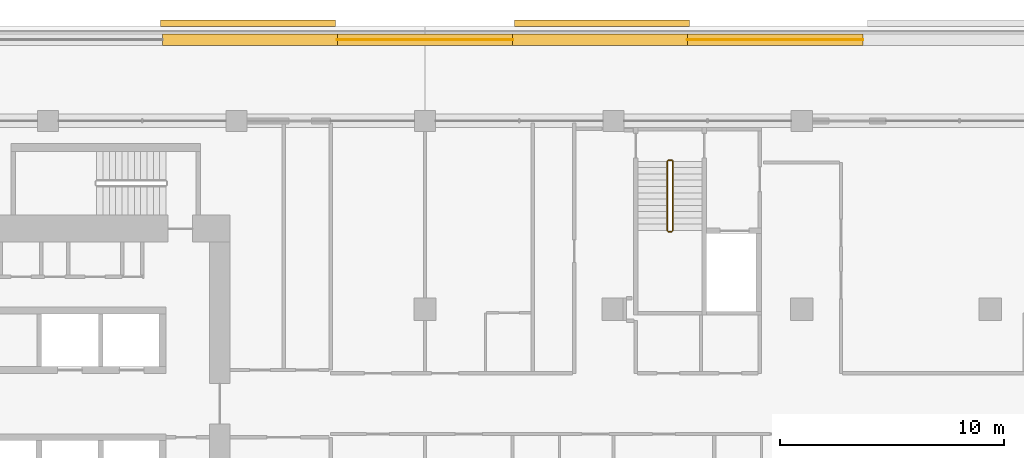
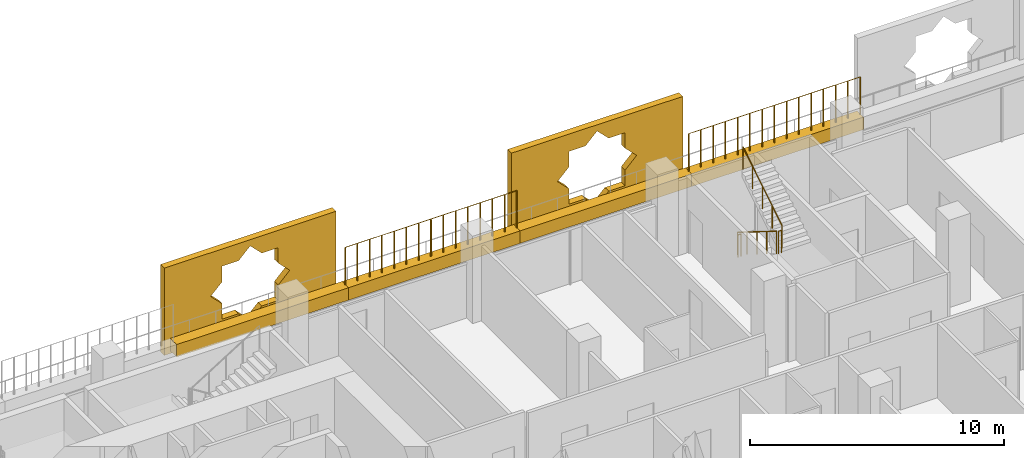
# One storey, part 20 of 21: 6 coverings, 6 railings.
"""IFC4 building model written with IfcOpenShell, lengths in metres."""

from ifc_helpers import new_model, si_unit, direction, frame, origin, origin_2d, place, context, subcontext, project, spatial, polyline, rectangle, circle, outline, extrude, material, material_profile, profile_set, type_object, element, save


model = new_model("IFC4")

# Units and contexts
model_context = context("Model", 3, precision=1e-05, world=origin(), true_north=direction((0.0, 1.0)))
body_context = subcontext(model_context, "Body", "Model", "MODEL_VIEW")
ifc_project = project(units=[si_unit("LENGTHUNIT", "METRE"), si_unit("AREAUNIT", "SQUARE_METRE"), si_unit("VOLUMEUNIT", "CUBIC_METRE"), si_unit("PLANEANGLEUNIT", "RADIAN"), si_unit("MASSUNIT", "GRAM", prefix="KILO")], contexts=[model_context])

# Site, building, storey
site_placement = place(None, origin())
site = spatial("IfcSite", under=ifc_project, at=site_placement, CompositionType="ELEMENT")
building_placement = place(site_placement, origin())
building = spatial("IfcBuilding", under=site, at=building_placement, Name="Kawkab Arch Medical Tower", CompositionType="ELEMENT")
storey_placement = place(building_placement, frame((0.0, 0.0, 192.0)))
storey = spatial("IfcBuildingStorey", under=building, at=storey_placement, Name="L44", CompositionType="ELEMENT", Elevation=192.0)

# Coverings
ifc_material_1 = material(Name="Bronze anodised aluminium mashrabiya panel, eight-point star pattern", Category="aluminium")
ifc_material_profile_1 = material_profile(ifc_material_1, outline(polyline([(-3.89990234375, -2.10009765625), (3.89990234375, -2.10009765625), (3.89990234375, 2.10009765625), (-3.89990234375, 2.10009765625), (-3.89990234375, -2.10009765625)]), holes=[polyline([(1.800048828125, 0.0), (1.272705078125, 0.527099609375), (1.272705078125, 1.272705078125), (0.527099609375, 1.272705078125), (0.0, 1.800048828125), (-0.527099609375, 1.272705078125), (-1.272705078125, 1.272705078125), (-1.272705078125, 0.527099609375), (-1.800048828125, 0.0), (-1.272705078125, -0.527099609375), (-1.272705078125, -1.272705078125), (-0.527099609375, -1.272705078125), (0.0, -1.800048828125), (0.527099609375, -1.272705078125), (1.272705078125, -1.272705078125), (1.272705078125, -0.527099609375), (1.800048828125, 0.0)])]), Name="Mashrabiya panel 7800x4200")
ifc_profile_set_1 = profile_set([ifc_material_profile_1], Name="Bronze anodised aluminium mashrabiya panel, eight-point star pattern")
covering_type_1 = type_object("IfcCoveringType", Name="Mashrabiya panel 7800 x 4200", PredefinedType="USERDEFINED", material=ifc_profile_set_1)
for number, where, z_axis, x_axis, name in (
    (1, (25.7158203125, 4.199951171875, 1.699951171875), (0.0, 1.0, 0.0), (-1.0, 0.0, 0.0), "Mashrabiya panel L44.LOG-01-01.6"),
    (2, (41.484375, 4.199951171875, 1.699951171875), (0.0, 1.0, 0.0), (-1.0, 0.0, 0.0), "Mashrabiya panel L44.LOG-01-01.7"),
):
    element("IfcCovering", number, at=place(storey_placement, frame(where, z_axis=z_axis, x_axis=x_axis)), inside=storey, type_object=covering_type_1, Name=name, ObjectType="SCREEN", PredefinedType="USERDEFINED", context=body_context, shape_type="SweptSolid", body=[
        extrude(outline(polyline([(-3.89990234375, -2.10009765625), (3.89990234375, -2.10009765625), (3.89990234375, 2.10009765625), (-3.89990234375, 2.10009765625), (-3.89990234375, -2.10009765625)]), holes=[polyline([(1.800048828125, 0.0), (1.272705078125, 0.527099609375), (1.272705078125, 1.272705078125), (0.527099609375, 1.272705078125), (0.0, 1.800048828125), (-0.527099609375, 1.272705078125), (-1.272705078125, 1.272705078125), (-1.272705078125, 0.527099609375), (-1.800048828125, 0.0), (-1.272705078125, -0.527099609375), (-1.272705078125, -1.272705078125), (-0.527099609375, -1.272705078125), (0.0, -1.800048828125), (0.527099609375, -1.272705078125), (1.272705078125, -1.272705078125), (1.272705078125, -0.527099609375), (1.800048828125, 0.0)])]), origin(), (0.0, 0.0, 1.0), 0.300048828125),
    ])
ifc_material_2 = material(Name="Planting soil in a precast trough", Category="concrete")
ifc_material_profile_2 = material_profile(ifc_material_2, rectangle(XDim=0.5, YDim=0.60009765625, at=origin_2d()), Name="Trough 500x600")
ifc_profile_set_2 = profile_set([ifc_material_profile_2], Name="Planting soil in a precast trough")
covering_type_2 = type_object("IfcCoveringType", Name="Planter trough 500 x 600", PredefinedType="USERDEFINED", material=ifc_profile_set_2)
covering_1_placement = place(storey_placement, frame((21.89306640625, 3.6201171875, 0.300048828125), z_axis=(1.0, 0.0, 0.0), x_axis=(0.0, 1.0, 0.0)))
element("IfcCovering", 3, at=covering_1_placement, inside=storey, type_object=covering_type_2, Name="Planter L44.LOG-01-01.20", ObjectType="PLANTER", PredefinedType="USERDEFINED", context=body_context, shape_type="SweptSolid", body=[
    extrude(rectangle(XDim=0.5, YDim=0.60009765625, at=origin_2d()), origin(), (0.0, 0.0, 1.0), 7.804931640625),
])
covering_2_placement = place(storey_placement, frame((29.697998046875, 3.6201171875, 0.300048828125), z_axis=(1.0, 0.0, 0.0), x_axis=(0.0, 1.0, 0.0)))
element("IfcCovering", 4, at=covering_2_placement, inside=storey, type_object=covering_type_2, Name="Planter L44.LOG-01-01.21", ObjectType="PLANTER", PredefinedType="USERDEFINED", context=body_context, shape_type="SweptSolid", body=[
    extrude(rectangle(XDim=0.5, YDim=0.60009765625, at=origin_2d()), origin(), (0.0, 0.0, 1.0), 7.803955078125),
])
covering_3_placement = place(storey_placement, frame((37.501953125, 3.6201171875, 0.300048828125), z_axis=(1.0, 0.0, 0.0), x_axis=(0.0, 1.0, 0.0)))
element("IfcCovering", 5, at=covering_3_placement, inside=storey, type_object=covering_type_2, Name="Planter L44.LOG-01-01.22", ObjectType="PLANTER", PredefinedType="USERDEFINED", context=body_context, shape_type="SweptSolid", body=[
    extrude(rectangle(XDim=0.5, YDim=0.60009765625, at=origin_2d()), origin(), (0.0, 0.0, 1.0), 7.804931640625),
])
covering_4_placement = place(storey_placement, frame((45.306884765625, 3.6201171875, 0.300048828125), z_axis=(1.0, 0.0, 0.0), x_axis=(0.0, 1.0, 0.0)))
element("IfcCovering", 6, at=covering_4_placement, inside=storey, type_object=covering_type_2, Name="Planter L44.LOG-01-01.23", ObjectType="PLANTER", PredefinedType="USERDEFINED", context=body_context, shape_type="SweptSolid", body=[
    extrude(rectangle(XDim=0.5, YDim=0.60009765625, at=origin_2d()), origin(), (0.0, 0.0, 1.0), 7.80517578125),
])

# Railings
ifc_material_3 = material(Name="Bronze anodised aluminium trellis for climbing plants", Category="aluminium")
railing_type_1 = type_object("IfcRailingType", Name="Planting trellis 2400", PredefinedType="USERDEFINED", material=ifc_material_3)
railing_1_placement = place(storey_placement, frame((29.697998046875, 3.6201171875, 0.0)))
element("IfcRailing", 7, at=railing_1_placement, inside=storey, type_object=railing_type_1, Name="Planting trellis L44.LOG-01-01.21", ObjectType="TRELLIS", PredefinedType="USERDEFINED", context=body_context, shape_type="SweptSolid", body=[
    extrude(circle(Radius=0.01513671875, at=origin_2d()), frame((0.0, 0.0, 2.384765625), z_axis=(1.0, 0.0, 0.0), x_axis=(0.0, 1.0, 0.0)), (0.0, 0.0, 1.0), 7.803955078125),
    extrude(circle(Radius=0.030029296875, at=origin_2d()), origin(), (0.0, 0.0, 1.0), 2.369873046875),
    extrude(circle(Radius=0.030029296875, at=origin_2d()), frame((0.557373046875, 0.0, 0.0)), (0.0, 0.0, 1.0), 2.369873046875),
    extrude(circle(Radius=0.030029296875, at=origin_2d()), frame((1.11474609375, 0.0, 0.0)), (0.0, 0.0, 1.0), 2.369873046875),
    extrude(circle(Radius=0.030029296875, at=origin_2d()), frame((1.67236328125, 0.0, 0.0)), (0.0, 0.0, 1.0), 2.369873046875),
    extrude(circle(Radius=0.030029296875, at=origin_2d()), frame((2.229736328125, 0.0, 0.0)), (0.0, 0.0, 1.0), 2.369873046875),
    extrude(circle(Radius=0.030029296875, at=origin_2d()), frame((2.787109375, 0.0, 0.0)), (0.0, 0.0, 1.0), 2.369873046875),
    extrude(circle(Radius=0.030029296875, at=origin_2d()), frame((3.344482421875, 0.0, 0.0)), (0.0, 0.0, 1.0), 2.369873046875),
    extrude(circle(Radius=0.030029296875, at=origin_2d()), frame((3.90185546875, 0.0, 0.0)), (0.0, 0.0, 1.0), 2.369873046875),
    extrude(circle(Radius=0.030029296875, at=origin_2d()), frame((4.45947265625, 0.0, 0.0)), (0.0, 0.0, 1.0), 2.369873046875),
    extrude(circle(Radius=0.030029296875, at=origin_2d()), frame((5.016845703125, 0.0, 0.0)), (0.0, 0.0, 1.0), 2.369873046875),
    extrude(circle(Radius=0.030029296875, at=origin_2d()), frame((5.57421875, 0.0, 0.0)), (0.0, 0.0, 1.0), 2.369873046875),
    extrude(circle(Radius=0.030029296875, at=origin_2d()), frame((6.131591796875, 0.0, 0.0)), (0.0, 0.0, 1.0), 2.369873046875),
    extrude(circle(Radius=0.030029296875, at=origin_2d()), frame((6.689208984375, 0.0, 0.0)), (0.0, 0.0, 1.0), 2.369873046875),
    extrude(circle(Radius=0.030029296875, at=origin_2d()), frame((7.24658203125, 0.0, 0.0)), (0.0, 0.0, 1.0), 2.369873046875),
    extrude(circle(Radius=0.030029296875, at=origin_2d()), frame((7.803955078125, 0.0, 0.0)), (0.0, 0.0, 1.0), 2.369873046875),
])
railing_2_placement = place(storey_placement, frame((45.306884765625, 3.6201171875, 0.0)))
element("IfcRailing", 8, at=railing_2_placement, inside=storey, type_object=railing_type_1, Name="Planting trellis L44.LOG-01-01.23", ObjectType="TRELLIS", PredefinedType="USERDEFINED", context=body_context, shape_type="SweptSolid", body=[
    extrude(circle(Radius=0.01513671875, at=origin_2d()), frame((0.0, 0.0, 2.384765625), z_axis=(1.0, 0.0, 0.0), x_axis=(0.0, 1.0, 0.0)), (0.0, 0.0, 1.0), 7.80517578125),
    extrude(circle(Radius=0.030029296875, at=origin_2d()), origin(), (0.0, 0.0, 1.0), 2.369873046875),
    extrude(circle(Radius=0.030029296875, at=origin_2d()), frame((0.5576171875, 0.0, 0.0)), (0.0, 0.0, 1.0), 2.369873046875),
    extrude(circle(Radius=0.030029296875, at=origin_2d()), frame((1.114990234375, 0.0, 0.0)), (0.0, 0.0, 1.0), 2.369873046875),
    extrude(circle(Radius=0.030029296875, at=origin_2d()), frame((1.672607421875, 0.0, 0.0)), (0.0, 0.0, 1.0), 2.369873046875),
    extrude(circle(Radius=0.030029296875, at=origin_2d()), frame((2.22998046875, 0.0, 0.0)), (0.0, 0.0, 1.0), 2.369873046875),
    extrude(circle(Radius=0.030029296875, at=origin_2d()), frame((2.78759765625, 0.0, 0.0)), (0.0, 0.0, 1.0), 2.369873046875),
    extrude(circle(Radius=0.030029296875, at=origin_2d()), frame((3.344970703125, 0.0, 0.0)), (0.0, 0.0, 1.0), 2.369873046875),
    extrude(circle(Radius=0.030029296875, at=origin_2d()), frame((3.902587890625, 0.0, 0.0)), (0.0, 0.0, 1.0), 2.369873046875),
    extrude(circle(Radius=0.030029296875, at=origin_2d()), frame((4.460205078125, 0.0, 0.0)), (0.0, 0.0, 1.0), 2.369873046875),
    extrude(circle(Radius=0.030029296875, at=origin_2d()), frame((5.017578125, 0.0, 0.0)), (0.0, 0.0, 1.0), 2.369873046875),
    extrude(circle(Radius=0.030029296875, at=origin_2d()), frame((5.5751953125, 0.0, 0.0)), (0.0, 0.0, 1.0), 2.369873046875),
    extrude(circle(Radius=0.030029296875, at=origin_2d()), frame((6.132568359375, 0.0, 0.0)), (0.0, 0.0, 1.0), 2.369873046875),
    extrude(circle(Radius=0.030029296875, at=origin_2d()), frame((6.690185546875, 0.0, 0.0)), (0.0, 0.0, 1.0), 2.369873046875),
    extrude(circle(Radius=0.030029296875, at=origin_2d()), frame((7.24755859375, 0.0, 0.0)), (0.0, 0.0, 1.0), 2.369873046875),
    extrude(circle(Radius=0.030029296875, at=origin_2d()), frame((7.80517578125, 0.0, 0.0)), (0.0, 0.0, 1.0), 2.369873046875),
])
ifc_material_4 = material(Name="Stainless steel", Category="steel")
railing_type_2 = type_object("IfcRailingType", Name="Stair guard 1100", PredefinedType="GUARDRAIL", material=ifc_material_4)
railing_3_placement = place(storey_placement, frame((44.39990234375, -1.800048828125, 0.175048828125)))
element("IfcRailing", 9, at=railing_3_placement, inside=storey, type_object=railing_type_2, Name="L44 ST5 stair guard 1", PredefinedType="GUARDRAIL", context=body_context, shape_type="SweptSolid", body=[
    extrude(circle(Radius=0.02392578125, at=origin_2d()), frame((0.0, 0.0, 1.076171875), z_axis=(0.0, -0.847979421464, 0.530029150871), x_axis=(1.0, 0.0, 0.0)), (0.0, 0.0, 1.0), 3.632080078125),
    extrude(circle(Radius=0.02099609375, at=origin_2d()), origin(), (0.0, 0.0, 1.0), 1.052001953125),
    extrude(circle(Radius=0.02099609375, at=origin_2d()), frame((0.0, -0.77001953125, 0.481201171875)), (0.0, 0.0, 1.0), 1.052001953125),
    extrude(circle(Radius=0.02099609375, at=origin_2d()), frame((0.0, -1.5400390625, 0.96240234375)), (0.0, 0.0, 1.0), 1.052001953125),
    extrude(circle(Radius=0.02099609375, at=origin_2d()), frame((0.0, -2.309814453125, 1.44384765625)), (0.0, 0.0, 1.0), 1.052001953125),
    extrude(circle(Radius=0.02099609375, at=origin_2d()), frame((0.0, -3.079833984375, 1.925048828125)), (0.0, 0.0, 1.0), 1.052001953125),
])
railing_4_placement = place(storey_placement, frame((44.449951171875, -4.929931640625, 2.10009765625)))
element("IfcRailing", 10, at=railing_4_placement, inside=storey, type_object=railing_type_2, Name="L44 ST5 stair guard 2", PredefinedType="GUARDRAIL", context=body_context, shape_type="SweptSolid", body=[
    extrude(circle(Radius=0.02392578125, at=origin_2d()), frame((0.0, 0.0, 1.076171875), z_axis=(1.0, 0.0, 0.0), x_axis=(0.0, 1.0, 0.0)), (0.0, 0.0, 1.0), 0.150146484375),
    extrude(circle(Radius=0.02099609375, at=origin_2d()), origin(), (0.0, 0.0, 1.0), 1.052001953125),
    extrude(circle(Radius=0.02099609375, at=origin_2d()), frame((0.150146484375, 0.0, 0.0)), (0.0, 0.0, 1.0), 1.052001953125),
])
railing_5_placement = place(storey_placement, frame((44.64990234375, -4.8798828125, 2.27490234375)))
element("IfcRailing", 11, at=railing_5_placement, inside=storey, type_object=railing_type_2, Name="L44 ST5 stair guard 3", PredefinedType="GUARDRAIL", context=body_context, shape_type="SweptSolid", body=[
    extrude(circle(Radius=0.02392578125, at=origin_2d()), frame((0.0, 0.0, 1.076171875), z_axis=(0.0, 0.847979421464, 0.530029150871), x_axis=(-1.0, 0.0, 0.0)), (0.0, 0.0, 1.0), 3.632080078125),
    extrude(circle(Radius=0.02099609375, at=origin_2d()), origin(), (0.0, 0.0, 1.0), 1.052001953125),
    extrude(circle(Radius=0.02099609375, at=origin_2d()), frame((0.0, 0.77001953125, 0.481201171875)), (0.0, 0.0, 1.0), 1.052001953125),
    extrude(circle(Radius=0.02099609375, at=origin_2d()), frame((0.0, 1.5400390625, 0.96240234375)), (0.0, 0.0, 1.0), 1.052001953125),
    extrude(circle(Radius=0.02099609375, at=origin_2d()), frame((0.0, 2.309814453125, 1.44384765625)), (0.0, 0.0, 1.0), 1.052001953125),
    extrude(circle(Radius=0.02099609375, at=origin_2d()), frame((0.0, 3.079833984375, 1.925048828125)), (0.0, 0.0, 1.0), 1.052001953125),
])
railing_6_placement = place(storey_placement, frame((44.449951171875, -1.75, 0.0)))
element("IfcRailing", 12, at=railing_6_placement, inside=storey, type_object=railing_type_2, Name="L44 ST5 stair guard 4", PredefinedType="GUARDRAIL", context=body_context, shape_type="SweptSolid", body=[
    extrude(circle(Radius=0.02392578125, at=origin_2d()), frame((0.0, 0.0, 1.076171875), z_axis=(1.0, 0.0, 0.0), x_axis=(0.0, 1.0, 0.0)), (0.0, 0.0, 1.0), 0.150146484375),
    extrude(circle(Radius=0.02099609375, at=origin_2d()), origin(), (0.0, 0.0, 1.0), 1.052001953125),
    extrude(circle(Radius=0.02099609375, at=origin_2d()), frame((0.150146484375, 0.0, 0.0)), (0.0, 0.0, 1.0), 1.052001953125),
])

save(model, "model.ifc")
